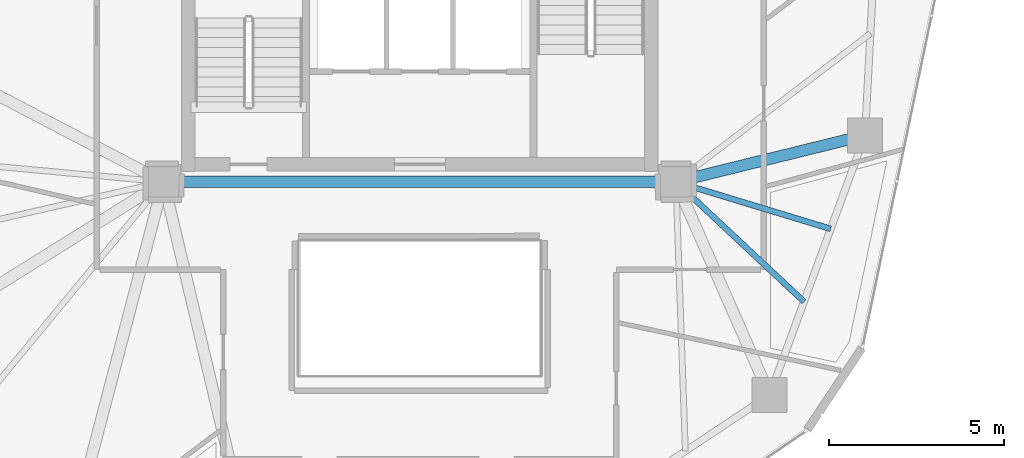
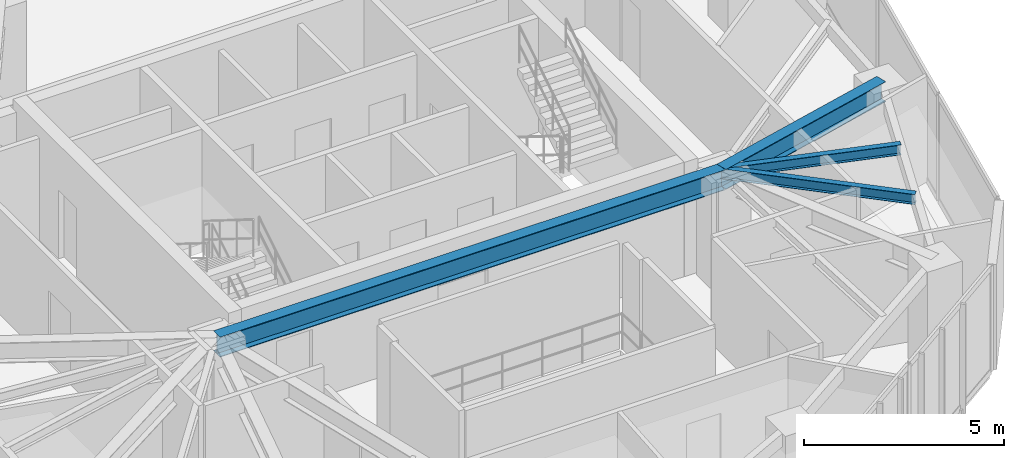
# One storey, part 8 of 20: 4 beams.
"""IFC4 building model written with IfcOpenShell, lengths in metres."""

from ifc_helpers import new_model, si_unit, direction, frame, origin, origin_2d, place, context, subcontext, project, spatial, i_section, extrude, material, material_profile, profile_set, type_object, element, save


model = new_model("IFC4")

# Units and contexts
model_context = context("Model", 3, precision=1e-05, world=origin(), true_north=direction((0.0, 1.0)))
body_context = subcontext(model_context, "Body", "Model", "MODEL_VIEW")
ifc_project = project(units=[si_unit("LENGTHUNIT", "METRE"), si_unit("AREAUNIT", "SQUARE_METRE"), si_unit("VOLUMEUNIT", "CUBIC_METRE"), si_unit("PLANEANGLEUNIT", "RADIAN"), si_unit("MASSUNIT", "GRAM", prefix="KILO")], contexts=[model_context])

# Site, building, storey
site_placement = place(None, origin())
site = spatial("IfcSite", under=ifc_project, at=site_placement, CompositionType="ELEMENT")
building_placement = place(site_placement, origin())
building = spatial("IfcBuilding", under=site, at=building_placement, Name="Talar Marvaseh", CompositionType="ELEMENT")
storey_placement = place(building_placement, frame((0.0, 0.0, 191.5)))
storey = spatial("IfcBuildingStorey", under=building, at=storey_placement, Name="L50", CompositionType="ELEMENT", Elevation=191.5)

# Beams
ifc_material = material(Name="Steel S355", Category="steel")
ifc_material_profile_1 = material_profile(ifc_material, i_section(OverallWidth=0.324951171875, OverallDepth=0.615966796875, WebThickness=0.013916015625, FlangeThickness=0.021484375, at=origin_2d()), Name="W610x174")
ifc_profile_set_1 = profile_set([ifc_material_profile_1], Name="Steel S355")
beam_type_1 = type_object("IfcBeamType", Name="Zone 3 Radial Floor Girder W610x174", PredefinedType="BEAM", material=ifc_profile_set_1)
beam_1_placement = place(storey_placement, frame((18.699951171875, 25.5, 2.922119140625), z_axis=(1.0, 0.0, 0.0), x_axis=(0.0, 1.0, 0.0)))
element("IfcBeam", 1, at=beam_1_placement, inside=storey, type_object=beam_type_1, Name="L50 Zone 3 Radial Floor Girder W610x174", PredefinedType="BEAM", context=body_context, shape_type="SweptSolid", body=[
    extrude(i_section(OverallWidth=0.324951171875, OverallDepth=0.615966796875, WebThickness=0.013916015625, FlangeThickness=0.021484375, at=origin_2d()), origin(), (0.0, 0.0, 1.0), 14.60009765625),
])
beam_2_placement = place(storey_placement, frame((38.68896484375, 26.823974609375, 2.922119140625), z_axis=(-0.971120507527, -0.238589521692, 0.0), x_axis=(0.238589521692, -0.971120507527, 0.0)))
element("IfcBeam", 2, at=beam_2_placement, inside=storey, type_object=beam_type_1, Name="L50 Zone 3 Radial Floor Girder W610x174", PredefinedType="BEAM", context=body_context, shape_type="SweptSolid", body=[
    extrude(i_section(OverallWidth=0.324951171875, OverallDepth=0.615966796875, WebThickness=0.013916015625, FlangeThickness=0.021484375, at=origin_2d()), origin(), (0.0, 0.0, 1.0), 5.549072265625),
])
ifc_material_profile_2 = material_profile(ifc_material, i_section(OverallWidth=0.166015625, OverallDepth=0.31298828125, WebThickness=0.006591796875, FlangeThickness=0.01123046875, at=origin_2d()), Name="W310x45")
ifc_profile_set_2 = profile_set([ifc_material_profile_2], Name="Steel S355")
beam_type_2 = type_object("IfcBeamType", Name="Zone 3 Secondary Floor Joist W310x45", PredefinedType="JOIST", material=ifc_profile_set_2)
beam_3_placement = place(storey_placement, frame((37.71044921875, 24.15966796875, 3.073486328125), z_axis=(-0.956792465721, 0.290771693153, 0.0), x_axis=(-0.290771693153, -0.956792465721, 0.0)))
element("IfcBeam", 3, at=beam_3_placement, inside=storey, type_object=beam_type_2, Name="L50 Zone 3 Secondary Floor Joist W310x45", PredefinedType="JOIST", context=body_context, shape_type="SweptSolid", body=[
    extrude(i_section(OverallWidth=0.166015625, OverallDepth=0.31298828125, WebThickness=0.006591796875, FlangeThickness=0.01123046875, at=origin_2d()), origin(), (0.0, 0.0, 1.0), 4.609619140625),
])
beam_4_placement = place(storey_placement, frame((36.949462890625, 22.08740234375, 3.073486328125), z_axis=(-0.730408226886, 0.683010850643, 0.0), x_axis=(-0.683010850643, -0.730408226886, 0.0)))
element("IfcBeam", 4, at=beam_4_placement, inside=storey, type_object=beam_type_2, Name="L50 Zone 3 Secondary Floor Joist W310x45", PredefinedType="JOIST", context=body_context, shape_type="SweptSolid", body=[
    extrude(i_section(OverallWidth=0.166015625, OverallDepth=0.31298828125, WebThickness=0.006591796875, FlangeThickness=0.01123046875, at=origin_2d()), origin(), (0.0, 0.0, 1.0), 4.996337890625),
])

save(model, "model.ifc")
